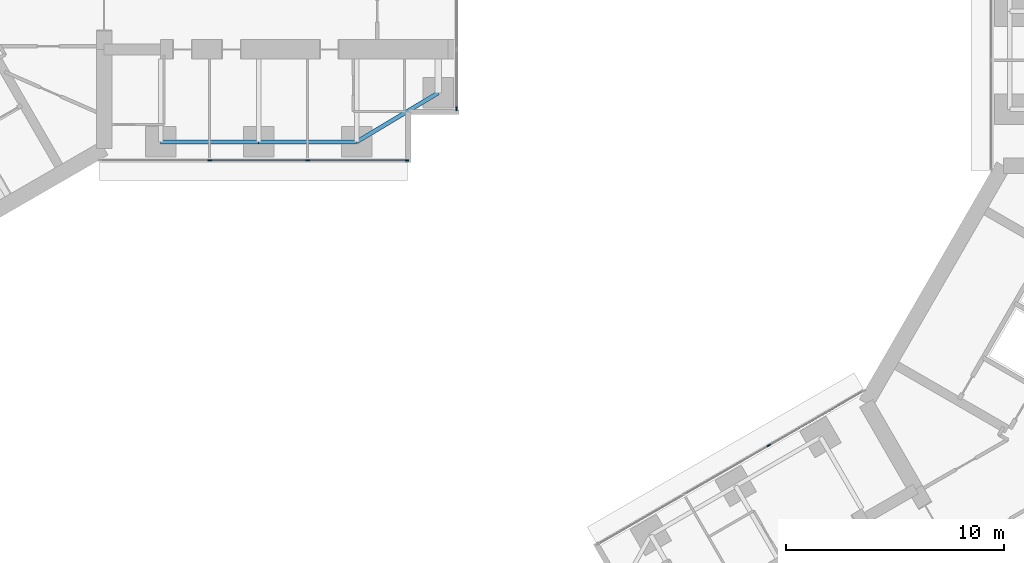
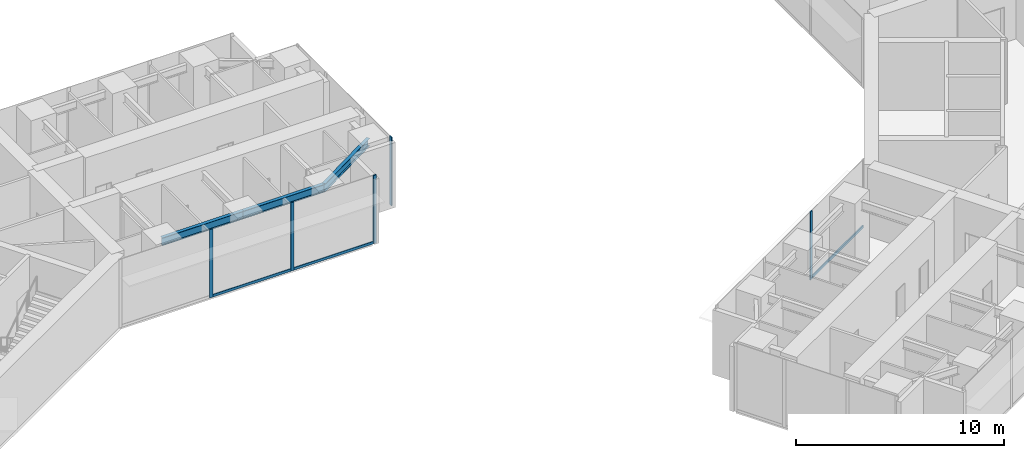
# One storey, part 5 of 25: 8 members, 3 beams, 3 elements without a shape of their own.
"""IFC4 building model written with IfcOpenShell, lengths in metres."""

from ifc_helpers import new_model, si_unit, direction, frame, origin, origin_2d, place, context, subcontext, project, spatial, rectangle, i_section, extrude, material, material_profile, profile_set, type_object, element, aggregate, save


model = new_model("IFC4")

# Units and contexts
model_context = context("Model", 3, precision=1e-05, world=origin(), true_north=direction((0.0, 1.0)))
body_context = subcontext(model_context, "Body", "Model", "MODEL_VIEW")
ifc_project = project(units=[si_unit("LENGTHUNIT", "METRE"), si_unit("AREAUNIT", "SQUARE_METRE"), si_unit("VOLUMEUNIT", "CUBIC_METRE"), si_unit("PLANEANGLEUNIT", "RADIAN"), si_unit("MASSUNIT", "GRAM", prefix="KILO")], contexts=[model_context])

# Site, building, storey
site_placement = place(None, origin())
site = spatial("IfcSite", under=ifc_project, at=site_placement, CompositionType="ELEMENT")
building_placement = place(site_placement, origin())
building = spatial("IfcBuilding", under=site, at=building_placement, Name="Upepo Twin Towers", CompositionType="ELEMENT")
storey_placement = place(building_placement, frame((0.0, 0.0, 72.5)))
storey = spatial("IfcBuildingStorey", under=building, at=storey_placement, Name="L17", CompositionType="ELEMENT", Elevation=72.5)

# Beams
ifc_material_1 = material(Name="Steel S355", Category="steel")
ifc_material_profile_1 = material_profile(ifc_material_1, i_section(OverallWidth=0.1904296875, OverallDepth=0.45703125, WebThickness=0.009033203125, FlangeThickness=0.014404296875, FilletRadius=0.01025390625, at=origin_2d()), Name="UB 457x191x74")
ifc_profile_set_1 = profile_set([ifc_material_profile_1], Name="Steel S355")
beam_type = type_object("IfcBeamType", Name="Beam UB 457x191x74", PredefinedType="BEAM", material=ifc_profile_set_1)
for number, where, z_axis, x_axis, name in (
    (1, (13.5, -6.0, 3.571533203125), (1.0, 0.0, 0.0), (0.0, 1.0, 0.0), "T1 edge beam AR 13.5-18.0"),
    (2, (18.0, -6.0, 3.571533203125), (1.0, 0.0, 0.0), (0.0, 1.0, 0.0), "T1 edge beam AR 18.0-22.5"),
):
    element("IfcBeam", number, at=place(storey_placement, frame(where, z_axis=z_axis, x_axis=x_axis)), inside=storey, type_object=beam_type, Name=name, PredefinedType="BEAM", context=body_context, shape_type="SweptSolid", body=[
        extrude(i_section(OverallWidth=0.1904296875, OverallDepth=0.45703125, WebThickness=0.009033203125, FlangeThickness=0.014404296875, FilletRadius=0.01025390625, at=origin_2d()), origin(), (0.0, 0.0, 1.0), 4.5),
    ])
beam_placement = place(storey_placement, frame((22.5, -6.0, 3.571533203125), z_axis=(0.857492925713, 0.514495755428, 0.0), x_axis=(-0.514495755428, 0.857492925713, 0.0)))
element("IfcBeam", 3, at=beam_placement, inside=storey, type_object=beam_type, Name="T1 nose edge beam AR", PredefinedType="BEAM", context=body_context, shape_type="SweptSolid", body=[
    extrude(i_section(OverallWidth=0.1904296875, OverallDepth=0.45703125, WebThickness=0.009033203125, FlangeThickness=0.014404296875, FilletRadius=0.01025390625, at=origin_2d()), origin(), (0.0, 0.0, 1.0), 4.373291015625),
])

# Curtain wall, members
ifc_material_2 = material(Name="Aluminium and fritted glass", Category="aluminium")
curtain_wall_type = type_object("IfcCurtainWallType", Name="Tower curtain wall TW1, fritted glass", PredefinedType="NOTDEFINED", material=ifc_material_2)
curtain_wall_1_placement = place(storey_placement, origin())
curtain_wall_1 = element("IfcCurtainWall", 4, at=curtain_wall_1_placement, inside=storey, type_object=curtain_wall_type, Name="T1 L17 wing A flank R curtain wall", PredefinedType="NOTDEFINED")
ifc_material_3 = material(Name="Aluminium mullion", Category="aluminium")
ifc_material_profile_2 = material_profile(ifc_material_3, rectangle(XDim=0.06494140625, YDim=0.179931640625, at=origin_2d()), Name="MULLION 65x180")
ifc_profile_set_2 = profile_set([ifc_material_profile_2], Name="Aluminium mullion")
member_type_1 = type_object("IfcMemberType", Name="Mullion 65x180 TW1", PredefinedType="MULLION", material=ifc_profile_set_2)
member_1_placement = place(storey_placement, frame((24.8173828125, -6.85009765625, 0.0), z_axis=(0.0, 0.0, 1.0), x_axis=(0.0, -1.0, 0.0)))
member_1 = element("IfcMember", 5, at=member_1_placement, type_object=member_type_1, Name="T1 L17 wing A flank R curtain wall mullion 1", PredefinedType="MULLION", context=body_context, shape_type="SweptSolid", body=[
    extrude(rectangle(XDim=0.06494140625, YDim=0.179931640625, at=origin_2d()), origin(), (0.0, 0.0, 1.0), 4.0),
])
member_2_placement = place(storey_placement, frame((20.25, -6.85009765625, 0.0), z_axis=(0.0, 0.0, 1.0), x_axis=(0.0, -1.0, 0.0)))
member_2 = element("IfcMember", 6, at=member_2_placement, type_object=member_type_1, Name="T1 L17 wing A flank R curtain wall mullion 2", PredefinedType="MULLION", context=body_context, shape_type="SweptSolid", body=[
    extrude(rectangle(XDim=0.06494140625, YDim=0.179931640625, at=origin_2d()), origin(), (0.0, 0.0, 1.0), 4.0),
])
member_3_placement = place(storey_placement, frame((15.75, -6.85009765625, 0.0), z_axis=(0.0, 0.0, 1.0), x_axis=(0.0, -1.0, 0.0)))
member_3 = element("IfcMember", 7, at=member_3_placement, type_object=member_type_1, Name="T1 L17 wing A flank R curtain wall mullion 3", PredefinedType="MULLION", context=body_context, shape_type="SweptSolid", body=[
    extrude(rectangle(XDim=0.06494140625, YDim=0.179931640625, at=origin_2d()), origin(), (0.0, 0.0, 1.0), 4.0),
])

# Curtain wall, member
curtain_wall_2_placement = place(storey_placement, origin())
curtain_wall_2 = element("IfcCurtainWall", 8, at=curtain_wall_2_placement, inside=storey, type_object=curtain_wall_type, Name="T1 L17 wing A nose curtain wall", PredefinedType="NOTDEFINED")
member_4_placement = place(storey_placement, frame((27.10009765625, -4.467529296875, 0.0), z_axis=(0.0, 0.0, 1.0), x_axis=(-1.0, 0.0, 0.0)))
member_4 = element("IfcMember", 9, at=member_4_placement, type_object=member_type_1, Name="T1 L17 wing A nose curtain wall mullion 1", PredefinedType="MULLION", context=body_context, shape_type="SweptSolid", body=[
    extrude(rectangle(XDim=0.06494140625, YDim=0.179931640625, at=origin_2d()), origin(), (0.0, 0.0, 1.0), 4.0),
])
aggregate(curtain_wall_2, [member_4])

curtain_wall_3_placement = place(storey_placement, origin())
curtain_wall_3 = element("IfcCurtainWall", 10, at=curtain_wall_3_placement, inside=storey, type_object=curtain_wall_type, Name="T2 L17 wing B flank R curtain wall", PredefinedType="NOTDEFINED")
member_5_placement = place(storey_placement, frame((41.43505859375, -19.942626953125, 0.0), z_axis=(0.0, 0.0, 1.0), x_axis=(-0.500000024426, 0.866025389682, 0.0)))
member_5 = element("IfcMember", 11, at=member_5_placement, type_object=member_type_1, Name="T2 L17 wing B flank R curtain wall mullion 3", PredefinedType="MULLION", context=body_context, shape_type="SweptSolid", body=[
    extrude(rectangle(XDim=0.06494140625, YDim=0.179931640625, at=origin_2d()), origin(), (0.0, 0.0, 1.0), 4.0),
])

# Member
ifc_material_4 = material(Name="Aluminium transom", Category="aluminium")
ifc_material_profile_3 = material_profile(ifc_material_4, rectangle(XDim=0.06494140625, YDim=0.14990234375, at=origin_2d()), Name="TRANSOM 65x150")
ifc_profile_set_3 = profile_set([ifc_material_profile_3], Name="Aluminium transom")
member_type_2 = type_object("IfcMemberType", Name="Transom 65x150 TW1", PredefinedType="USERDEFINED", material=ifc_profile_set_3)
member_6_placement = place(storey_placement, frame((24.784912109375, -6.85009765625, 0.074951171875), z_axis=(-1.0, 0.0, 0.0), x_axis=(0.0, -1.0, 0.0)))
member_6 = element("IfcMember", 12, at=member_6_placement, type_object=member_type_2, Name="T1 L17 wing A flank R curtain wall transom 1", ObjectType="TRANSOM", PredefinedType="USERDEFINED", context=body_context, shape_type="SweptSolid", body=[
    extrude(rectangle(XDim=0.06494140625, YDim=0.14990234375, at=origin_2d()), origin(), (0.0, 0.0, 1.0), 4.50244140625),
])

member_7_placement = place(storey_placement, frame((20.217529296875, -6.85009765625, 0.074951171875), z_axis=(-1.0, 0.0, 0.0), x_axis=(0.0, -1.0, 0.0)))
member_7 = element("IfcMember", 13, at=member_7_placement, type_object=member_type_2, Name="T1 L17 wing A flank R curtain wall transom 2", ObjectType="TRANSOM", PredefinedType="USERDEFINED", context=body_context, shape_type="SweptSolid", body=[
    extrude(rectangle(XDim=0.06494140625, YDim=0.14990234375, at=origin_2d()), origin(), (0.0, 0.0, 1.0), 4.43505859375),
])

aggregate(curtain_wall_1, [member_1, member_2, member_3, member_6, member_7])

member_8_placement = place(storey_placement, frame((41.463134765625, -19.926513671875, 0.074951171875), z_axis=(0.866034933967, 0.499983492876, 0.0), x_axis=(-0.499983492876, 0.866034933967, 0.0)))
member_8 = element("IfcMember", 14, at=member_8_placement, type_object=member_type_2, Name="T2 L17 wing B flank R curtain wall transom 3", ObjectType="TRANSOM", PredefinedType="USERDEFINED", context=body_context, shape_type="SweptSolid", body=[
    extrude(rectangle(XDim=0.06494140625, YDim=0.14990234375, at=origin_2d()), origin(), (0.0, 0.0, 1.0), 4.965576171875),
])

aggregate(curtain_wall_3, [member_5, member_8])

save(model, "model.ifc")
